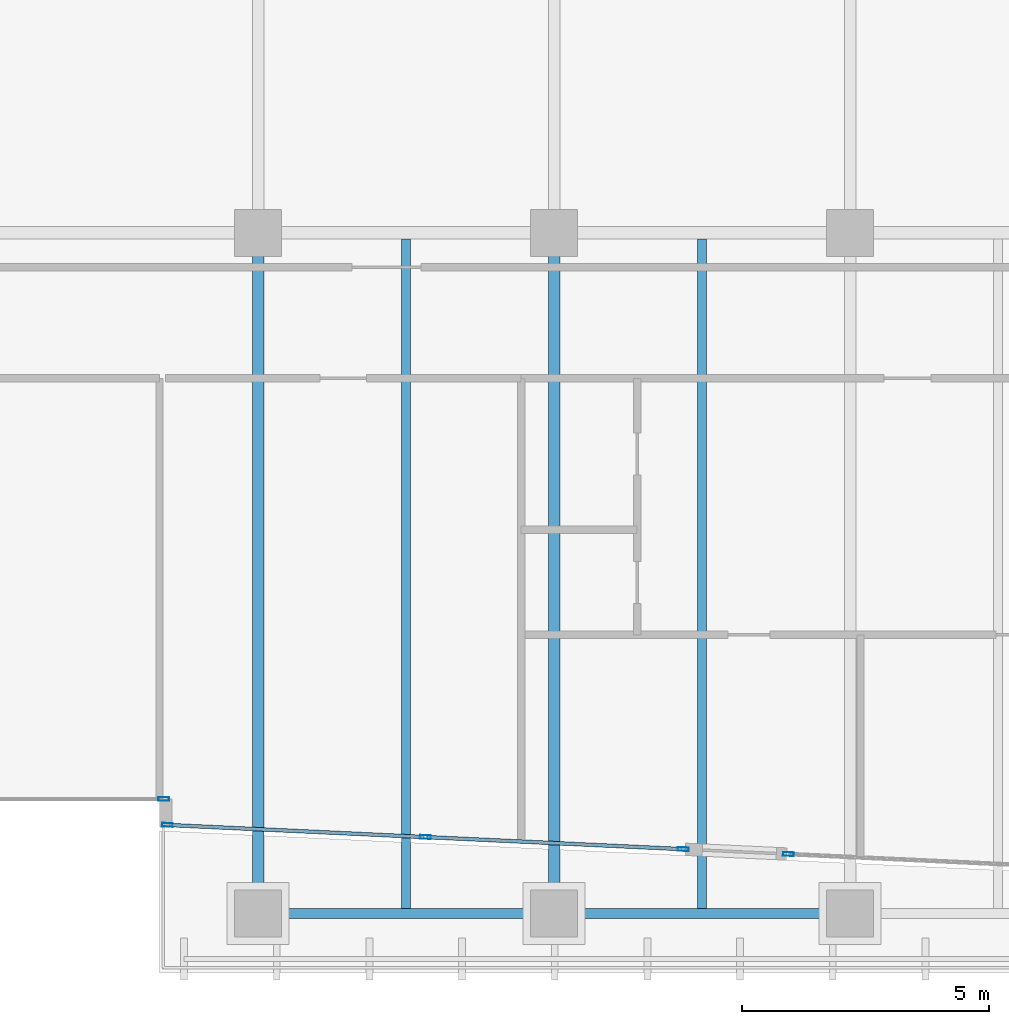
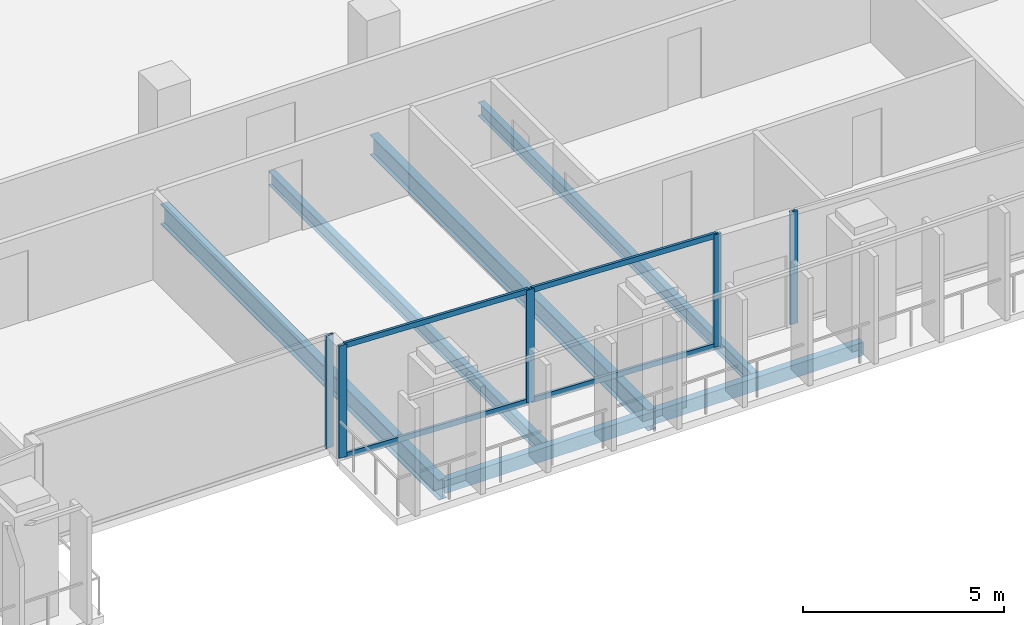
# One storey, part 7 of 39: 9 members, 6 beams, 3 elements without a shape of their own.
"""IFC4 building model written with IfcOpenShell, lengths in metres."""

from ifc_helpers import new_model, si_unit, direction, frame, origin, origin_2d, place, context, subcontext, project, spatial, hollow_rectangle, i_section, extrude, material, layer, layer_set, material_profile, profile_set, type_object, element, aggregate, save


model = new_model("IFC4")

# Units and contexts
model_context = context("Model", 3, precision=1e-05, world=origin(), true_north=direction((0.0, 1.0)))
body_context = subcontext(model_context, "Body", "Model", "MODEL_VIEW")
ifc_project = project(units=[si_unit("LENGTHUNIT", "METRE"), si_unit("AREAUNIT", "SQUARE_METRE"), si_unit("VOLUMEUNIT", "CUBIC_METRE"), si_unit("PLANEANGLEUNIT", "RADIAN"), si_unit("MASSUNIT", "GRAM", prefix="KILO")], contexts=[model_context])

# Site, building, storey
site_placement = place(None, origin())
site = spatial("IfcSite", under=ifc_project, at=site_placement, CompositionType="ELEMENT")
building_placement = place(site_placement, origin())
building = spatial("IfcBuilding", under=site, at=building_placement, Name="Tanjung Sevakor Pilgrim Tower", CompositionType="ELEMENT")
storey_placement = place(building_placement, frame((0.0, 0.0, 108.570068359375)))
storey = spatial("IfcBuildingStorey", under=building, at=storey_placement, Name="L30", CompositionType="ELEMENT", Elevation=108.570068359375)

# Beams
ifc_material_1 = material(Name="Steel S355J2", Category="steel")
ifc_material_profile_1 = material_profile(ifc_material_1, i_section(OverallWidth=0.230224609375, OverallDepth=0.6171875, WebThickness=0.01318359375, FlangeThickness=0.022216796875, FilletRadius=0.0126953125, at=origin_2d()))
ifc_profile_set_1 = profile_set([ifc_material_profile_1], Name="Steel S355J2")
beam_type_1 = type_object("IfcBeamType", Name="BM-B-G3-UB_610x229x140", PredefinedType="BEAM", material=ifc_profile_set_1)
for number, where, z_axis, x_axis, name in (
    (1, (54.0, 10.800048828125, -0.528564453125), (0.0, 1.0, 0.0), (-1.0, 0.0, 0.0), "L30 MAIN Girder 017"),
    (2, (60.0, 10.800048828125, -0.528564453125), (0.0, 1.0, 0.0), (-1.0, 0.0, 0.0), "L30 MAIN Girder 022"),
):
    element("IfcBeam", number, at=place(storey_placement, frame(where, z_axis=z_axis, x_axis=x_axis)), inside=storey, type_object=beam_type_1, Name=name, PredefinedType="BEAM", context=body_context, shape_type="SweptSolid", body=[
        extrude(i_section(OverallWidth=0.230224609375, OverallDepth=0.6171875, WebThickness=0.01318359375, FlangeThickness=0.022216796875, FilletRadius=0.0126953125, at=origin_2d()), origin(), (0.0, 0.0, 1.0), 13.800048828125),
    ])
ifc_material_2 = material(Name="Steel S355J2", Category="steel")
ifc_material_profile_2 = material_profile(ifc_material_2, i_section(OverallWidth=0.1787109375, OverallDepth=0.409423828125, WebThickness=0.0087890625, FlangeThickness=0.014404296875, FilletRadius=0.01025390625, at=origin_2d()))
ifc_profile_set_2 = profile_set([ifc_material_profile_2], Name="Steel S355J2")
beam_type_2 = type_object("IfcBeamType", Name="BM-B-J3-UB_406x178x67", PredefinedType="JOIST", material=ifc_profile_set_2)
for number, where, z_axis, x_axis, name in (
    (3, (57.0, 10.89990234375, -0.4248046875), (0.0, 1.0, 0.0), (-1.0, 0.0, 0.0), "L30 MAIN Joist 020"),
    (4, (63.0, 10.89990234375, -0.4248046875), (0.0, 1.0, 0.0), (-1.0, 0.0, 0.0), "L30 MAIN Joist 025"),
):
    element("IfcBeam", number, at=place(storey_placement, frame(where, z_axis=z_axis, x_axis=x_axis)), inside=storey, type_object=beam_type_2, Name=name, PredefinedType="JOIST", context=body_context, shape_type="SweptSolid", body=[
        extrude(i_section(OverallWidth=0.1787109375, OverallDepth=0.409423828125, WebThickness=0.0087890625, FlangeThickness=0.014404296875, FilletRadius=0.01025390625, at=origin_2d()), origin(), (0.0, 0.0, 1.0), 13.57275390625),
    ])
ifc_material_3 = material(Name="Steel S355J2", Category="steel")
ifc_material_profile_3 = material_profile(ifc_material_3, hollow_rectangle(XDim=0.199951171875, YDim=0.39990234375, WallThickness=0.01611328125, at=origin_2d()))
ifc_profile_set_3 = profile_set([ifc_material_profile_3], Name="Steel S355J2")
beam_type_3 = type_object("IfcBeamType", Name="BM-B-SP2-RHS_400x200x16", PredefinedType="SPANDREL", material=ifc_profile_set_3)
for number, where, z_axis, x_axis, name in (
    (5, (54.0, 10.800048828125, -0.420166015625), (1.0, 0.0, 0.0), (0.0, 1.0, 0.0), "L30 Spandrel MAIN S-07"),
    (6, (60.0, 10.800048828125, -0.420166015625), (1.0, 0.0, 0.0), (0.0, 1.0, 0.0), "L30 Spandrel MAIN S-09"),
):
    element("IfcBeam", number, at=place(storey_placement, frame(where, z_axis=z_axis, x_axis=x_axis)), inside=storey, type_object=beam_type_3, Name=name, PredefinedType="SPANDREL", context=body_context, shape_type="SweptSolid", body=[
        extrude(hollow_rectangle(XDim=0.199951171875, YDim=0.39990234375, WallThickness=0.01611328125, at=origin_2d()), origin(), (0.0, 0.0, 1.0), 6.0),
    ])

# Curtain wall, member
ifc_material_4 = material(Name="Aluminium 6063-T6 and Low-E Glass", Category="aluminium")
ifc_layer_1 = layer(ifc_material_4, 0.179931640625)
ifc_layer_set_1 = layer_set([ifc_layer_1], Name="CW-SYS-CLEFT")
curtain_wall_type_1 = type_object("IfcCurtainWallType", Name="CW-SYS-CLEFT", PredefinedType="NOTDEFINED", material=ifc_layer_set_1)
curtain_wall_1_placement = place(storey_placement, origin())
curtain_wall_1 = element("IfcCurtainWall", 7, at=curtain_wall_1_placement, inside=storey, type_object=curtain_wall_type_1, Name="L30 Curtain Wall CW-CLF-L30-7", PredefinedType="NOTDEFINED")
ifc_material_5 = material(Name="Aluminium 6063-T6", Category="aluminium")
ifc_material_profile_4 = material_profile(ifc_material_5, hollow_rectangle(XDim=0.074951171875, YDim=0.219970703125, WallThickness=0.0048828125, at=origin_2d()))
ifc_profile_set_4 = profile_set([ifc_material_profile_4], Name="Aluminium 6063-T6")
member_type_1 = type_object("IfcMemberType", Name="TYPE-CWM-2", PredefinedType="MULLION", material=ifc_profile_set_4)
member_1_placement = place(storey_placement, frame((52.08740234375, 13.125, 0.0), z_axis=(0.0, 0.0, 1.0), x_axis=(0.0, 1.0, 0.0)))
member_1 = element("IfcMember", 8, at=member_1_placement, type_object=member_type_1, Name="CW-CLF mullion 2", PredefinedType="MULLION", context=body_context, shape_type="SweptSolid", body=[
    extrude(hollow_rectangle(XDim=0.074951171875, YDim=0.219970703125, WallThickness=0.0048828125, at=origin_2d()), origin(), (0.0, 0.0, 1.0), 3.409912109375),
])
aggregate(curtain_wall_1, [member_1])

# Curtain wall, members
ifc_material_6 = material(Name="Aluminium 6063-T6 and Low-E Glass", Category="aluminium")
ifc_layer_2 = layer(ifc_material_6, 0.199951171875)
ifc_layer_set_2 = layer_set([ifc_layer_2], Name="CW-SYS-PRAY")
curtain_wall_type_2 = type_object("IfcCurtainWallType", Name="CW-SYS-PRAY", PredefinedType="NOTDEFINED", material=ifc_layer_set_2)
curtain_wall_2_placement = place(storey_placement, origin())
curtain_wall_2 = element("IfcCurtainWall", 9, at=curtain_wall_2_placement, inside=storey, type_object=curtain_wall_type_2, Name="L30 Curtain Wall CW-PRY-L30-9", PredefinedType="NOTDEFINED")
member_2_placement = place(storey_placement, frame((52.162353515625, 12.59765625, 0.0), z_axis=(0.0, 0.0, 1.0), x_axis=(0.046895901799, 0.998899781957, 0.0)))
member_2 = element("IfcMember", 10, at=member_2_placement, type_object=member_type_1, Name="CW-PRY mullion 1", PredefinedType="MULLION", context=body_context, shape_type="SweptSolid", body=[
    extrude(hollow_rectangle(XDim=0.074951171875, YDim=0.219970703125, WallThickness=0.0048828125, at=origin_2d()), origin(), (0.0, 0.0, 1.0), 3.409912109375),
])
member_3_placement = place(storey_placement, frame((57.390380859375, 12.35205078125, 0.0), z_axis=(0.0, 0.0, 1.0), x_axis=(0.046895901799, 0.998899781957, 0.0)))
member_3 = element("IfcMember", 11, at=member_3_placement, type_object=member_type_1, Name="CW-PRY mullion 2", PredefinedType="MULLION", context=body_context, shape_type="SweptSolid", body=[
    extrude(hollow_rectangle(XDim=0.074951171875, YDim=0.219970703125, WallThickness=0.0048828125, at=origin_2d()), origin(), (0.0, 0.0, 1.0), 3.409912109375),
])
member_4_placement = place(storey_placement, frame((62.618408203125, 12.106689453125, 0.0), z_axis=(0.0, 0.0, 1.0), x_axis=(0.046895901799, 0.998899781957, 0.0)))
member_4 = element("IfcMember", 12, at=member_4_placement, type_object=member_type_1, Name="CW-PRY mullion 3", PredefinedType="MULLION", context=body_context, shape_type="SweptSolid", body=[
    extrude(hollow_rectangle(XDim=0.074951171875, YDim=0.219970703125, WallThickness=0.0048828125, at=origin_2d()), origin(), (0.0, 0.0, 1.0), 3.409912109375),
])

# Curtain wall, member
curtain_wall_3_placement = place(storey_placement, origin())
curtain_wall_3 = element("IfcCurtainWall", 13, at=curtain_wall_3_placement, inside=storey, type_object=curtain_wall_type_2, Name="L30 Curtain Wall CW-PRY-L30-10B", PredefinedType="NOTDEFINED")
member_5_placement = place(storey_placement, frame((64.7509765625, 12.006591796875, 0.0), z_axis=(0.0, 0.0, 1.0), x_axis=(0.046906293141, 0.998899294055, 0.0)))
member_5 = element("IfcMember", 14, at=member_5_placement, type_object=member_type_1, Name="CW-PRY mullion 1", PredefinedType="MULLION", context=body_context, shape_type="SweptSolid", body=[
    extrude(hollow_rectangle(XDim=0.074951171875, YDim=0.219970703125, WallThickness=0.0048828125, at=origin_2d()), origin(), (0.0, 0.0, 1.0), 3.409912109375),
])
aggregate(curtain_wall_3, [member_5])

# Member
ifc_material_7 = material(Name="Aluminium 6063-T6", Category="aluminium")
ifc_material_profile_5 = material_profile(ifc_material_7, hollow_rectangle(XDim=0.074951171875, YDim=0.159912109375, WallThickness=0.00439453125, at=origin_2d()))
ifc_profile_set_5 = profile_set([ifc_material_profile_5], Name="Aluminium 6063-T6")
member_type_2 = type_object("IfcMemberType", Name="TYPE-CWT-2", PredefinedType="USERDEFINED", material=ifc_profile_set_5)
member_6_placement = place(storey_placement, frame((52.199951171875, 12.595703125, 0.037353515625), z_axis=(0.998899609096, -0.046899583674, 0.0), x_axis=(0.046899583674, 0.998899609096, 0.0)))
member_6 = element("IfcMember", 15, at=member_6_placement, type_object=member_type_2, Name="CW-PRY transom 1.1", ObjectType="TRANSOM", PredefinedType="USERDEFINED", context=body_context, shape_type="SweptSolid", body=[
    extrude(hollow_rectangle(XDim=0.074951171875, YDim=0.159912109375, WallThickness=0.00439453125, at=origin_2d()), origin(), (0.0, 0.0, 1.0), 5.15869140625),
])

member_7_placement = place(storey_placement, frame((52.199951171875, 12.595703125, 3.372314453125), z_axis=(0.998899609096, -0.046899583674, 0.0), x_axis=(0.046899583674, 0.998899609096, 0.0)))
member_7 = element("IfcMember", 16, at=member_7_placement, type_object=member_type_2, Name="CW-PRY transom 1.2", ObjectType="TRANSOM", PredefinedType="USERDEFINED", context=body_context, shape_type="SweptSolid", body=[
    extrude(hollow_rectangle(XDim=0.074951171875, YDim=0.159912109375, WallThickness=0.00439453125, at=origin_2d()), origin(), (0.0, 0.0, 1.0), 5.15869140625),
])

member_8_placement = place(storey_placement, frame((57.427978515625, 12.350341796875, 0.037353515625), z_axis=(0.998899609096, -0.046899583674, 0.0), x_axis=(0.046899583674, 0.998899609096, 0.0)))
member_8 = element("IfcMember", 17, at=member_8_placement, type_object=member_type_2, Name="CW-PRY transom 2.1", ObjectType="TRANSOM", PredefinedType="USERDEFINED", context=body_context, shape_type="SweptSolid", body=[
    extrude(hollow_rectangle(XDim=0.074951171875, YDim=0.159912109375, WallThickness=0.00439453125, at=origin_2d()), origin(), (0.0, 0.0, 1.0), 5.15869140625),
])

member_9_placement = place(storey_placement, frame((57.427978515625, 12.350341796875, 3.372314453125), z_axis=(0.998899609096, -0.046899583674, 0.0), x_axis=(0.046899583674, 0.998899609096, 0.0)))
member_9 = element("IfcMember", 18, at=member_9_placement, type_object=member_type_2, Name="CW-PRY transom 2.2", ObjectType="TRANSOM", PredefinedType="USERDEFINED", context=body_context, shape_type="SweptSolid", body=[
    extrude(hollow_rectangle(XDim=0.074951171875, YDim=0.159912109375, WallThickness=0.00439453125, at=origin_2d()), origin(), (0.0, 0.0, 1.0), 5.15869140625),
])

aggregate(curtain_wall_2, [member_2, member_3, member_4, member_6, member_7, member_8, member_9])

save(model, "model.ifc")
